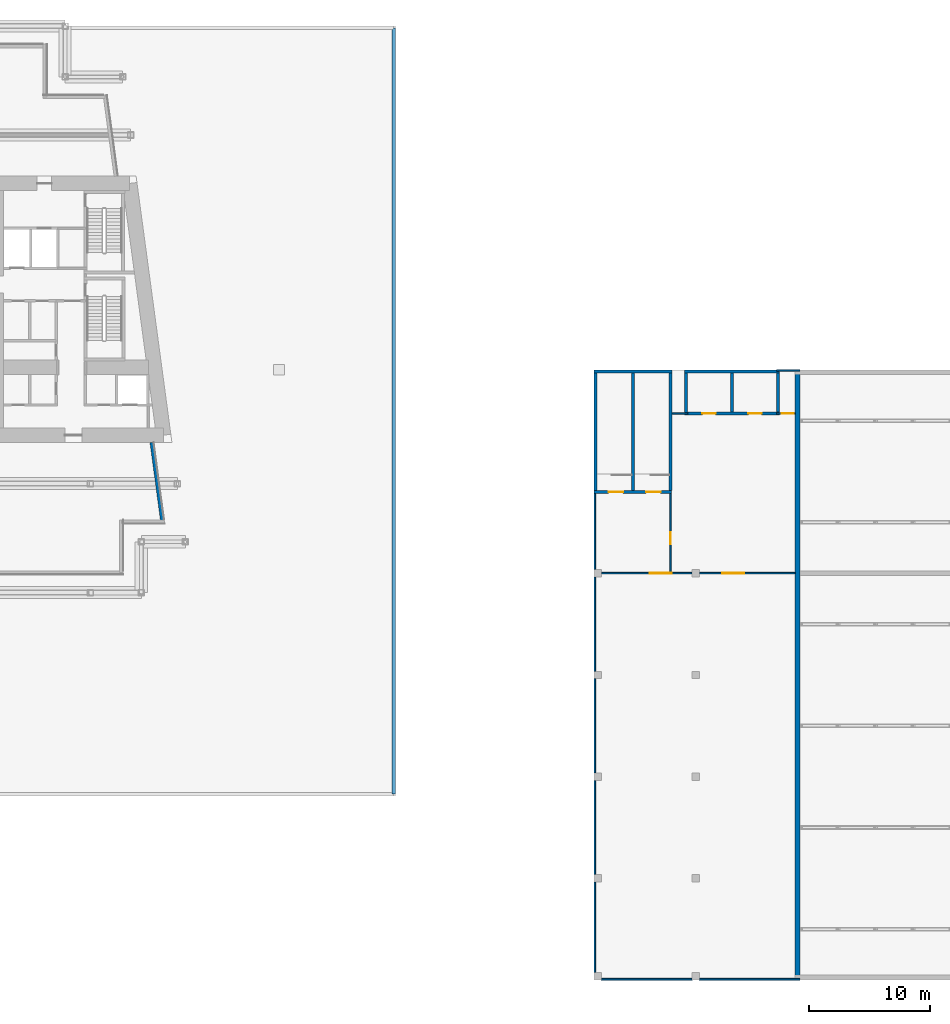
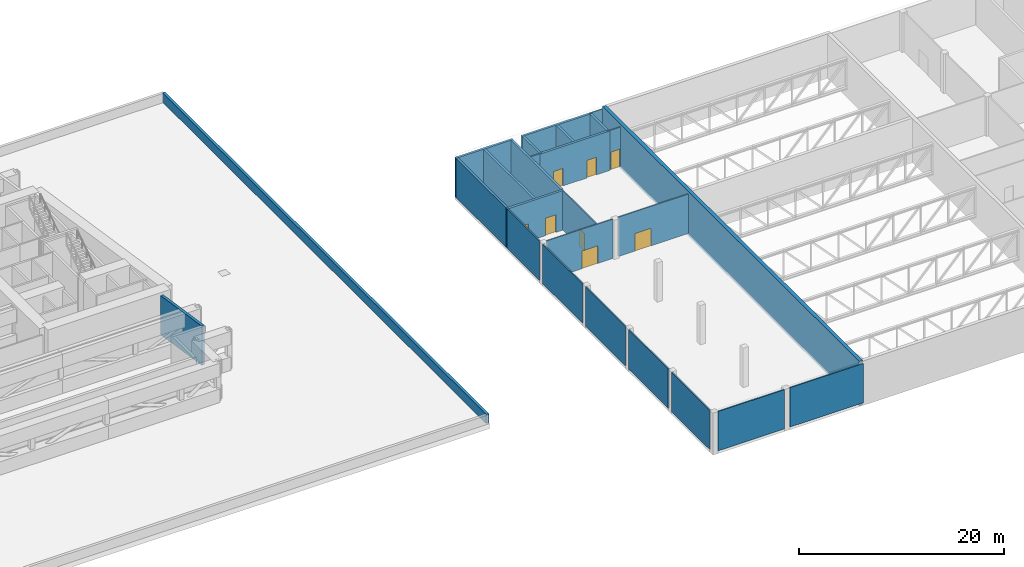
# One storey, part 17 of 26: 26 walls, 8 doors, 8 openings.
"""IFC4 building model written with IfcOpenShell, lengths in metres."""

from ifc_helpers import new_model, si_unit, direction, frame, frame_2d, origin, place, context, subcontext, project, spatial, rectangle, extrude, material, layer, layer_set, type_object, element, fill, save


model = new_model("IFC4")

# Units and contexts
model_context = context("Model", 3, precision=1e-05, world=origin(), true_north=direction((0.0, 1.0)))
body_context = subcontext(model_context, "Body", "Model", "MODEL_VIEW")
ifc_project = project(units=[si_unit("LENGTHUNIT", "METRE"), si_unit("AREAUNIT", "SQUARE_METRE"), si_unit("VOLUMEUNIT", "CUBIC_METRE"), si_unit("PLANEANGLEUNIT", "RADIAN"), si_unit("MASSUNIT", "GRAM", prefix="KILO")], contexts=[model_context])

# Site, building, storey
site_placement = place(None, origin())
site = spatial("IfcSite", under=ifc_project, at=site_placement, CompositionType="ELEMENT")
building_placement = place(site_placement, origin())
building = spatial("IfcBuilding", under=site, at=building_placement, Name="Candeia Pilgrim Tower and Theatre", CompositionType="ELEMENT")
storey_placement = place(building_placement, frame((0.0, 0.0, 34.0)))
storey = spatial("IfcBuildingStorey", under=building, at=storey_placement, Name="L05", CompositionType="ELEMENT", Elevation=34.0)

# Walls
ifc_material_1 = material(Name="Ceramic block masonry", Category="masonry")
ifc_layer_1 = layer(ifc_material_1, 0.300048828125)
ifc_layer_set_1 = layer_set([ifc_layer_1], Name="EW1 glazing-line wall 300")
wall_type_1 = type_object("IfcWallType", Name="EW1 glazing-line wall 300", PredefinedType="SOLIDWALL", material=ifc_layer_set_1)
wall_1_placement = place(storey_placement, frame((140.34765625, 103.85009765625, 0.0), z_axis=(0.0, 0.0, 1.0), x_axis=(-0.133431549479, 0.991058031401, 0.0)))
element("IfcWall", 1, at=wall_1_placement, inside=storey, type_object=wall_type_1, Name="External wall L05-3.0", PredefinedType="SOLIDWALL", context=body_context, shape_type="SweptSolid", body=[
    extrude(rectangle(XDim=6.60888671875, YDim=0.300048828125, at=frame_2d((3.304443359375, 0.0))), origin(), (0.0, 0.0, 1.0), 4.679931640625),
])
ifc_layer_2 = layer(ifc_material_1, 0.300048828125)
ifc_layer_set_2 = layer_set([ifc_layer_2], Name="PW1 parapet wall 300")
wall_type_2 = type_object("IfcWallType", Name="PW1 parapet wall 300", PredefinedType="PARAPET", material=ifc_layer_set_2)
wall_2_placement = place(storey_placement, frame((159.449951171875, 144.64990234375, 0.0), z_axis=(0.0, 0.0, 1.0), x_axis=(0.0, -1.0, 0.0)))
element("IfcWall", 2, at=wall_2_placement, inside=storey, type_object=wall_type_2, Name="Roof parapet L05", PredefinedType="PARAPET", context=body_context, shape_type="SweptSolid", body=[
    extrude(rectangle(XDim=63.2998046875, YDim=0.300048828125, at=frame_2d((31.64990234375, 0.0))), origin(), (0.0, 0.0, 1.0), 1.10009765625),
])
ifc_material_2 = material(Name="Gypsum board on steel studs", Category="steel")
ifc_layer_3 = layer(ifc_material_2, 0.125)
ifc_layer_set_3 = layer_set([ifc_layer_3], Name="Partition 125")
wall_type_3 = type_object("IfcWallType", Name="Partition 125", PredefinedType="PARTITIONING", material=ifc_layer_set_3)
wall_3_placement = place(storey_placement, frame((176.60009765625, 66.0625, 0.0), z_axis=(0.0, 0.0, 1.0), x_axis=(1.0, 0.0, 0.0)))
element("IfcWall", 3, at=wall_3_placement, inside=storey, type_object=wall_type_3, Name="T-L05-W001", PredefinedType="PARTITIONING", context=body_context, shape_type="SweptSolid", body=[
    extrude(rectangle(XDim=7.5, YDim=0.125, at=frame_2d((3.75, 0.0))), origin(), (0.0, 0.0, 1.0), 4.699951171875),
])
wall_4_placement = place(storey_placement, frame((184.699951171875, 66.0625, 0.0), z_axis=(0.0, 0.0, 1.0), x_axis=(1.0, 0.0, 0.0)))
element("IfcWall", 4, at=wall_4_placement, inside=storey, type_object=wall_type_3, Name="T-L05-W002", PredefinedType="PARTITIONING", context=body_context, shape_type="SweptSolid", body=[
    extrude(rectangle(XDim=8.300048828125, YDim=0.125, at=frame_2d((4.14990234375, 0.0))), origin(), (0.0, 0.0, 1.0), 4.699951171875),
])

# Wall, opening, door
wall_5_placement = place(storey_placement, frame((176.60009765625, 99.60009765625, 0.0), z_axis=(0.0, 0.0, 1.0), x_axis=(1.0, 0.0, 0.0)))
wall_5 = element("IfcWall", 5, at=wall_5_placement, inside=storey, type_object=wall_type_3, Name="T-L05-W012", PredefinedType="PARTITIONING", context=body_context, shape_type="SweptSolid", body=[
    extrude(rectangle(XDim=7.5, YDim=0.125, at=frame_2d((3.75, 0.0))), origin(), (0.0, 0.0, 1.0), 4.699951171875),
])
opening_1_placement = place(wall_5_placement, frame((4.0, 0.0, 0.0)))
opening_1 = element("IfcOpeningElement", 6, at=opening_1_placement, cuts=wall_5, Name="Opening TD-L05-012", PredefinedType="OPENING", context=body_context, shape_type="SweptSolid", body=[
    extrude(rectangle(XDim=1.800048828125, YDim=2.10009765625, at=frame_2d((0.89990234375, 1.050048828125))), frame((0.0, 0.072509765625, 0.0), z_axis=(0.0, -1.0, 0.0), x_axis=(1.0, 0.0, 0.0)), (0.0, 0.0, 1.0), 0.14501953125),
])
ifc_material_3 = material(Name="Timber door leaf", Category="wood")
door_type_1 = type_object("IfcDoorType", Name="Door double 1800x2100", OperationType="DOUBLE_DOOR_SINGLE_SWING", PredefinedType="DOOR", material=ifc_material_3)
door_1_placement = place(opening_1_placement, origin())
door_1 = element("IfcDoor", 7, at=door_1_placement, inside=storey, type_object=door_type_1, Name="Door TD-L05-012", OperationType="DOUBLE_DOOR_SINGLE_SWING", OverallHeight=2.10009765625, OverallWidth=1.800048828125, PredefinedType="DOOR", context=body_context, shape_type="SweptSolid", body=[
    extrude(rectangle(XDim=1.800048828125, YDim=2.10009765625, at=frame_2d((0.89990234375, 1.050048828125))), frame((0.0, 0.02490234375, 0.0), z_axis=(0.0, -1.0, 0.0), x_axis=(1.0, 0.0, 0.0)), (0.0, 0.0, 1.0), 0.050048828125),
])
fill(opening_1, door_1)

wall_6_placement = place(storey_placement, frame((184.699951171875, 99.60009765625, 0.0), z_axis=(0.0, 0.0, 1.0), x_axis=(1.0, 0.0, 0.0)))
wall_6 = element("IfcWall", 8, at=wall_6_placement, inside=storey, type_object=wall_type_3, Name="T-L05-W013", PredefinedType="PARTITIONING", context=body_context, shape_type="SweptSolid", body=[
    extrude(rectangle(XDim=7.900146484375, YDim=0.125, at=frame_2d((3.9501953125, 0.0))), origin(), (0.0, 0.0, 1.0), 4.699951171875),
])
opening_2_placement = place(wall_6_placement, frame((1.89990234375, 0.0, 0.0)))
opening_2 = element("IfcOpeningElement", 9, at=opening_2_placement, cuts=wall_6, Name="Opening TD-L05-013", PredefinedType="OPENING", context=body_context, shape_type="SweptSolid", body=[
    extrude(rectangle(XDim=1.800048828125, YDim=2.10009765625, at=frame_2d((0.89990234375, 1.050048828125))), frame((0.0, 0.072509765625, 0.0), z_axis=(0.0, -1.0, 0.0), x_axis=(1.0, 0.0, 0.0)), (0.0, 0.0, 1.0), 0.14501953125),
])
door_2_placement = place(opening_2_placement, origin())
door_2 = element("IfcDoor", 10, at=door_2_placement, inside=storey, type_object=door_type_1, Name="Door TD-L05-013", OperationType="DOUBLE_DOOR_SINGLE_SWING", OverallHeight=2.10009765625, OverallWidth=1.800048828125, PredefinedType="DOOR", context=body_context, shape_type="SweptSolid", body=[
    extrude(rectangle(XDim=1.800048828125, YDim=2.10009765625, at=frame_2d((0.89990234375, 1.050048828125))), frame((0.0, 0.02490234375, 0.0), z_axis=(0.0, -1.0, 0.0), x_axis=(1.0, 0.0, 0.0)), (0.0, 0.0, 1.0), 0.050048828125),
])
fill(opening_2, door_2)

# Wall
wall_7_placement = place(storey_placement, frame((182.449951171875, 112.800048828125, 0.0), z_axis=(0.0, 0.0, 1.0), x_axis=(1.0, 0.0, 0.0)))
element("IfcWall", 11, at=wall_7_placement, inside=storey, type_object=wall_type_3, Name="T-L05-W022", PredefinedType="PARTITIONING", context=body_context, shape_type="SweptSolid", body=[
    extrude(rectangle(XDim=1.275146484375, YDim=0.125, at=frame_2d((0.6376953125, 0.0))), origin(), (0.0, 0.0, 1.0), 4.699951171875),
])

# Wall, opening, door
wall_8_placement = place(storey_placement, frame((191.074951171875, 112.800048828125, 0.0), z_axis=(0.0, 0.0, 1.0), x_axis=(1.0, 0.0, 0.0)))
wall_8 = element("IfcWall", 12, at=wall_8_placement, inside=storey, type_object=wall_type_3, Name="T-L05-W024", PredefinedType="PARTITIONING", context=body_context, shape_type="SweptSolid", body=[
    extrude(rectangle(XDim=1.525146484375, YDim=0.125, at=frame_2d((0.7626953125, 0.0))), origin(), (0.0, 0.0, 1.0), 4.699951171875),
])
opening_3_placement = place(wall_8_placement, frame((0.425048828125, 0.0, 0.0)))
opening_3 = element("IfcOpeningElement", 13, at=opening_3_placement, cuts=wall_8, Name="Opening TD-L05-006", PredefinedType="OPENING", context=body_context, shape_type="SweptSolid", body=[
    extrude(rectangle(XDim=1.0, YDim=2.10009765625, at=frame_2d((0.5, 1.050048828125))), frame((0.0, 0.072509765625, 0.0), z_axis=(0.0, -1.0, 0.0), x_axis=(1.0, 0.0, 0.0)), (0.0, 0.0, 1.0), 0.14501953125),
])
ifc_material_4 = material(Name="Steel fire door leaf", Category="steel")
door_type_2 = type_object("IfcDoorType", Name="Door fire single 1000x2100", OperationType="NOTDEFINED", PredefinedType="DOOR", material=ifc_material_4)
door_3_placement = place(opening_3_placement, origin())
door_3 = element("IfcDoor", 14, at=door_3_placement, inside=storey, type_object=door_type_2, Name="Door TD-L05-006", OperationType="SINGLE_SWING_RIGHT", OverallHeight=2.10009765625, OverallWidth=1.0, PredefinedType="DOOR", context=body_context, shape_type="SweptSolid", body=[
    extrude(rectangle(XDim=1.0, YDim=2.10009765625, at=frame_2d((0.5, 1.050048828125))), frame((0.0, 0.02490234375, 0.0), z_axis=(0.0, -1.0, 0.0), x_axis=(1.0, 0.0, 0.0)), (0.0, 0.0, 1.0), 0.050048828125),
])
fill(opening_3, door_3)

# Walls
wall_9_placement = place(storey_placement, frame((191.074951171875, 116.33740234375, 0.0), z_axis=(0.0, 0.0, 1.0), x_axis=(1.0, 0.0, 0.0)))
element("IfcWall", 15, at=wall_9_placement, inside=storey, type_object=wall_type_3, Name="T-L05-W029", PredefinedType="PARTITIONING", context=body_context, shape_type="SweptSolid", body=[
    extrude(rectangle(XDim=1.925048828125, YDim=0.125, at=frame_2d((0.96240234375, 0.0))), origin(), (0.0, 0.0, 1.0), 4.699951171875),
])
wall_10_placement = place(storey_placement, frame((176.0625, 66.60009765625, 0.0), z_axis=(0.0, 0.0, 1.0), x_axis=(0.0, 1.0, 0.0)))
element("IfcWall", 16, at=wall_10_placement, inside=storey, type_object=wall_type_3, Name="T-L05-W032", PredefinedType="PARTITIONING", context=body_context, shape_type="SweptSolid", body=[
    extrude(rectangle(XDim=7.5, YDim=0.125, at=frame_2d((3.75, 0.0))), origin(), (0.0, 0.0, 1.0), 4.699951171875),
])
wall_11_placement = place(storey_placement, frame((176.0625, 74.699951171875, 0.0), z_axis=(0.0, 0.0, 1.0), x_axis=(0.0, 1.0, 0.0)))
element("IfcWall", 17, at=wall_11_placement, inside=storey, type_object=wall_type_3, Name="T-L05-W033", PredefinedType="PARTITIONING", context=body_context, shape_type="SweptSolid", body=[
    extrude(rectangle(XDim=7.800048828125, YDim=0.125, at=frame_2d((3.89990234375, 0.0))), origin(), (0.0, 0.0, 1.0), 4.699951171875),
])
wall_12_placement = place(storey_placement, frame((176.0625, 83.10009765625, 0.0), z_axis=(0.0, 0.0, 1.0), x_axis=(0.0, 1.0, 0.0)))
element("IfcWall", 18, at=wall_12_placement, inside=storey, type_object=wall_type_3, Name="T-L05-W034", PredefinedType="PARTITIONING", context=body_context, shape_type="SweptSolid", body=[
    extrude(rectangle(XDim=7.7998046875, YDim=0.125, at=frame_2d((3.89990234375, 0.0))), origin(), (0.0, 0.0, 1.0), 4.699951171875),
])
wall_13_placement = place(storey_placement, frame((176.0625, 91.5, 0.0), z_axis=(0.0, 0.0, 1.0), x_axis=(0.0, 1.0, 0.0)))
element("IfcWall", 19, at=wall_13_placement, inside=storey, type_object=wall_type_3, Name="T-L05-W035", PredefinedType="PARTITIONING", context=body_context, shape_type="SweptSolid", body=[
    extrude(rectangle(XDim=7.800048828125, YDim=0.125, at=frame_2d((3.89990234375, 0.0))), origin(), (0.0, 0.0, 1.0), 4.699951171875),
])
wall_14_placement = place(storey_placement, frame((176.0625, 99.89990234375, 0.0), z_axis=(0.0, 0.0, 1.0), x_axis=(0.0, 1.0, 0.0)))
element("IfcWall", 20, at=wall_14_placement, inside=storey, type_object=wall_type_3, Name="T-L05-W036", PredefinedType="PARTITIONING", context=body_context, shape_type="SweptSolid", body=[
    extrude(rectangle(XDim=6.275146484375, YDim=0.125, at=frame_2d((3.1376953125, 0.0))), origin(), (0.0, 0.0, 1.0), 4.699951171875),
])

# Wall, opening, door
wall_15_placement = place(storey_placement, frame((182.324951171875, 99.66259765625, 0.0), z_axis=(0.0, 0.0, 1.0), x_axis=(0.0, 1.0, 0.0)))
wall_15 = element("IfcWall", 21, at=wall_15_placement, inside=storey, type_object=wall_type_3, Name="T-L05-W039", PredefinedType="PARTITIONING", context=body_context, shape_type="SweptSolid", body=[
    extrude(rectangle(XDim=6.512451171875, YDim=0.125, at=frame_2d((3.25634765625, 0.0))), origin(), (0.0, 0.0, 1.0), 4.699951171875),
])
opening_4_placement = place(wall_15_placement, frame((2.33740234375, 0.0, 0.0)))
opening_4 = element("IfcOpeningElement", 22, at=opening_4_placement, cuts=wall_15, Name="Opening TD-L05-003", PredefinedType="OPENING", context=body_context, shape_type="SweptSolid", body=[
    extrude(rectangle(XDim=1.0, YDim=2.10009765625, at=frame_2d((0.5, 1.050048828125))), frame((0.0, 0.072509765625, 0.0), z_axis=(0.0, -1.0, 0.0), x_axis=(1.0, 0.0, 0.0)), (0.0, 0.0, 1.0), 0.14501953125),
])
door_4_placement = place(opening_4_placement, origin())
door_4 = element("IfcDoor", 23, at=door_4_placement, inside=storey, type_object=door_type_2, Name="Door TD-L05-003", OperationType="SINGLE_SWING_LEFT", OverallHeight=2.10009765625, OverallWidth=1.0, PredefinedType="DOOR", context=body_context, shape_type="SweptSolid", body=[
    extrude(rectangle(XDim=1.0, YDim=2.10009765625, at=frame_2d((0.5, 1.050048828125))), frame((0.0, 0.02490234375, 0.0), z_axis=(0.0, -1.0, 0.0), x_axis=(1.0, 0.0, 0.0)), (0.0, 0.0, 1.0), 0.050048828125),
])
fill(opening_4, door_4)

# Wall, openings, doors
ifc_material_5 = material(Name="Concrete C35/45", Category="concrete")
ifc_layer_4 = layer(ifc_material_5, 0.25)
ifc_layer_set_4 = layer_set([ifc_layer_4], Name="RC wall 250 C35/45")
wall_type_4 = type_object("IfcWallType", Name="RC wall 250 C35/45", PredefinedType="SOLIDWALL", material=ifc_layer_set_4)
wall_16_placement = place(storey_placement, frame((176.0, 106.300048828125, 0.0), z_axis=(0.0, 0.0, 1.0), x_axis=(1.0, 0.0, 0.0)))
wall_16 = element("IfcWall", 24, at=wall_16_placement, inside=storey, type_object=wall_type_4, Name="T-L05-W020", PredefinedType="SOLIDWALL", context=body_context, shape_type="SweptSolid", body=[
    extrude(rectangle(XDim=6.387451171875, YDim=0.25, at=frame_2d((3.19384765625, 0.0))), origin(), (0.0, 0.0, 1.0), 4.699951171875),
])
opening_5_placement = place(wall_16_placement, frame((1.199951171875, 0.0, 0.0)))
opening_5 = element("IfcOpeningElement", 25, at=opening_5_placement, cuts=wall_16, Name="Opening TD-L05-001", PredefinedType="OPENING", context=body_context, shape_type="SweptSolid", body=[
    extrude(rectangle(XDim=1.199951171875, YDim=2.10009765625, at=frame_2d((0.60009765625, 1.050048828125))), frame((0.0, 0.135009765625, 0.0), z_axis=(0.0, -1.0, 0.0), x_axis=(1.0, 0.0, 0.0)), (0.0, 0.0, 1.0), 0.27001953125),
])
opening_6_placement = place(wall_16_placement, frame((4.300048828125, 0.0, 0.0)))
opening_6 = element("IfcOpeningElement", 26, at=opening_6_placement, cuts=wall_16, Name="Opening TD-L05-002", PredefinedType="OPENING", context=body_context, shape_type="SweptSolid", body=[
    extrude(rectangle(XDim=1.199951171875, YDim=2.10009765625, at=frame_2d((0.60009765625, 1.050048828125))), frame((0.0, 0.135009765625, 0.0), z_axis=(0.0, -1.0, 0.0), x_axis=(1.0, 0.0, 0.0)), (0.0, 0.0, 1.0), 0.27001953125),
])
door_type_3 = type_object("IfcDoorType", Name="Door exit single 1200x2100", OperationType="NOTDEFINED", PredefinedType="DOOR", material=ifc_material_4)
door_5_placement = place(opening_5_placement, origin())
door_5 = element("IfcDoor", 27, at=door_5_placement, inside=storey, type_object=door_type_3, Name="Door TD-L05-001", OperationType="SINGLE_SWING_LEFT", OverallHeight=2.10009765625, OverallWidth=1.199951171875, PredefinedType="DOOR", context=body_context, shape_type="SweptSolid", body=[
    extrude(rectangle(XDim=1.199951171875, YDim=2.10009765625, at=frame_2d((0.60009765625, 1.050048828125))), frame((0.0, 0.02490234375, 0.0), z_axis=(0.0, -1.0, 0.0), x_axis=(1.0, 0.0, 0.0)), (0.0, 0.0, 1.0), 0.050048828125),
])
fill(opening_5, door_5)
door_6_placement = place(opening_6_placement, origin())
door_6 = element("IfcDoor", 28, at=door_6_placement, inside=storey, type_object=door_type_3, Name="Door TD-L05-002", OperationType="SINGLE_SWING_RIGHT", OverallHeight=2.10009765625, OverallWidth=1.199951171875, PredefinedType="DOOR", context=body_context, shape_type="SweptSolid", body=[
    extrude(rectangle(XDim=1.199951171875, YDim=2.10009765625, at=frame_2d((0.60009765625, 1.050048828125))), frame((0.0, 0.02490234375, 0.0), z_axis=(0.0, -1.0, 0.0), x_axis=(1.0, 0.0, 0.0)), (0.0, 0.0, 1.0), 0.050048828125),
])
fill(opening_6, door_6)

wall_17_placement = place(storey_placement, frame((183.47509765625, 112.800048828125, 0.0), z_axis=(0.0, 0.0, 1.0), x_axis=(1.0, 0.0, 0.0)))
wall_17 = element("IfcWall", 29, at=wall_17_placement, inside=storey, type_object=wall_type_4, Name="T-L05-W023", PredefinedType="SOLIDWALL", context=body_context, shape_type="SweptSolid", body=[
    extrude(rectangle(XDim=7.849853515625, YDim=0.25, at=frame_2d((3.9248046875, 0.0))), origin(), (0.0, 0.0, 1.0), 4.699951171875),
])
opening_7_placement = place(wall_17_placement, frame((1.47509765625, 0.0, 0.0)))
opening_7 = element("IfcOpeningElement", 30, at=opening_7_placement, cuts=wall_17, Name="Opening TD-L05-004", PredefinedType="OPENING", context=body_context, shape_type="SweptSolid", body=[
    extrude(rectangle(XDim=1.10009765625, YDim=2.10009765625, at=frame_2d((0.550048828125, 1.050048828125))), frame((0.0, 0.135009765625, 0.0), z_axis=(0.0, -1.0, 0.0), x_axis=(1.0, 0.0, 0.0)), (0.0, 0.0, 1.0), 0.27001953125),
])
opening_8_placement = place(wall_17_placement, frame((5.27490234375, 0.0, 0.0)))
opening_8 = element("IfcOpeningElement", 31, at=opening_8_placement, cuts=wall_17, Name="Opening TD-L05-005", PredefinedType="OPENING", context=body_context, shape_type="SweptSolid", body=[
    extrude(rectangle(XDim=1.10009765625, YDim=2.10009765625, at=frame_2d((0.550048828125, 1.050048828125))), frame((0.0, 0.135009765625, 0.0), z_axis=(0.0, -1.0, 0.0), x_axis=(1.0, 0.0, 0.0)), (0.0, 0.0, 1.0), 0.27001953125),
])
ifc_material_6 = material(Name="Stainless steel landing door", Category="steel")
door_type_4 = type_object("IfcDoorType", Name="Door lift landing 1100x2100", OperationType="DOUBLE_DOOR_SLIDING", PredefinedType="DOOR", material=ifc_material_6)
door_7_placement = place(opening_7_placement, origin())
door_7 = element("IfcDoor", 32, at=door_7_placement, inside=storey, type_object=door_type_4, Name="Door TD-L05-004", OperationType="DOUBLE_DOOR_SLIDING", OverallHeight=2.10009765625, OverallWidth=1.10009765625, PredefinedType="DOOR", context=body_context, shape_type="SweptSolid", body=[
    extrude(rectangle(XDim=1.10009765625, YDim=2.10009765625, at=frame_2d((0.550048828125, 1.050048828125))), frame((0.0, 0.02490234375, 0.0), z_axis=(0.0, -1.0, 0.0), x_axis=(1.0, 0.0, 0.0)), (0.0, 0.0, 1.0), 0.050048828125),
])
fill(opening_7, door_7)
door_8_placement = place(opening_8_placement, origin())
door_8 = element("IfcDoor", 33, at=door_8_placement, inside=storey, type_object=door_type_4, Name="Door TD-L05-005", OperationType="DOUBLE_DOOR_SLIDING", OverallHeight=2.10009765625, OverallWidth=1.10009765625, PredefinedType="DOOR", context=body_context, shape_type="SweptSolid", body=[
    extrude(rectangle(XDim=1.10009765625, YDim=2.10009765625, at=frame_2d((0.550048828125, 1.050048828125))), frame((0.0, 0.02490234375, 0.0), z_axis=(0.0, -1.0, 0.0), x_axis=(1.0, 0.0, 0.0)), (0.0, 0.0, 1.0), 0.050048828125),
])
fill(opening_8, door_8)

# Walls
wall_18_placement = place(storey_placement, frame((176.0, 116.27490234375, 0.0), z_axis=(0.0, 0.0, 1.0), x_axis=(1.0, 0.0, 0.0)))
element("IfcWall", 34, at=wall_18_placement, inside=storey, type_object=wall_type_4, Name="T-L05-W026", PredefinedType="SOLIDWALL", context=body_context, shape_type="SweptSolid", body=[
    extrude(rectangle(XDim=6.449951171875, YDim=0.25, at=frame_2d((3.22509765625, 0.0))), origin(), (0.0, 0.0, 1.0), 4.699951171875),
])
wall_19_placement = place(storey_placement, frame((183.47509765625, 116.27490234375, 0.0), z_axis=(0.0, 0.0, 1.0), x_axis=(1.0, 0.0, 0.0)))
element("IfcWall", 35, at=wall_19_placement, inside=storey, type_object=wall_type_4, Name="T-L05-W027", PredefinedType="SOLIDWALL", context=body_context, shape_type="SweptSolid", body=[
    extrude(rectangle(XDim=7.849853515625, YDim=0.25, at=frame_2d((3.9248046875, 0.0))), origin(), (0.0, 0.0, 1.0), 4.699951171875),
])
for number, where, z_axis, x_axis, name in (
    (36, (176.125, 106.425048828125, 0.0), (0.0, 0.0, 1.0), (0.0, 1.0, 0.0), "T-L05-W037"),
    (37, (179.22509765625, 106.425048828125, 0.0), (0.0, 0.0, 1.0), (0.0, 1.0, 0.0), "T-L05-W038"),
    (38, (182.324951171875, 106.425048828125, 0.0), (0.0, 0.0, 1.0), (0.0, 1.0, 0.0), "T-L05-W040"),
):
    element("IfcWall", number, at=place(storey_placement, frame(where, z_axis=z_axis, x_axis=x_axis)), inside=storey, type_object=wall_type_4, Name=name, PredefinedType="SOLIDWALL", context=body_context, shape_type="SweptSolid", body=[
        extrude(rectangle(XDim=9.724853515625, YDim=0.25, at=frame_2d((4.8623046875, 0.0))), origin(), (0.0, 0.0, 1.0), 4.699951171875),
    ])
wall_20_placement = place(storey_placement, frame((183.60009765625, 112.862548828125, 0.0), z_axis=(0.0, 0.0, 1.0), x_axis=(0.0, 1.0, 0.0)))
element("IfcWall", 39, at=wall_20_placement, inside=storey, type_object=wall_type_4, Name="T-L05-W041", PredefinedType="SOLIDWALL", context=body_context, shape_type="SweptSolid", body=[
    extrude(rectangle(XDim=3.287353515625, YDim=0.25, at=frame_2d((1.6435546875, 0.0))), origin(), (0.0, 0.0, 1.0), 4.699951171875),
])
for number, where, z_axis, x_axis, name in (
    (40, (187.39990234375, 112.925048828125, 0.0), (0.0, 0.0, 1.0), (0.0, 1.0, 0.0), "T-L05-W042"),
    (41, (191.199951171875, 112.925048828125, 0.0), (0.0, 0.0, 1.0), (0.0, 1.0, 0.0), "T-L05-W043"),
):
    element("IfcWall", number, at=place(storey_placement, frame(where, z_axis=z_axis, x_axis=x_axis)), inside=storey, type_object=wall_type_4, Name=name, PredefinedType="SOLIDWALL", context=body_context, shape_type="SweptSolid", body=[
        extrude(rectangle(XDim=3.224853515625, YDim=0.25, at=frame_2d((1.6123046875, 0.0))), origin(), (0.0, 0.0, 1.0), 4.699951171875),
    ])
ifc_material_7 = material(Name="Concrete C40/50", Category="concrete")
ifc_layer_5 = layer(ifc_material_7, 0.39990234375)
ifc_layer_set_5 = layer_set([ifc_layer_5], Name="RC wall 400 house C40/50")
wall_type_5 = type_object("IfcWallType", Name="RC wall 400 house C40/50", PredefinedType="SOLIDWALL", material=ifc_layer_set_5)
wall_21_placement = place(storey_placement, frame((192.800048828125, 66.125, -0.300048828125), z_axis=(0.0, 0.0, 1.0), x_axis=(0.0, 1.0, 0.0)))
element("IfcWall", 42, at=wall_21_placement, inside=storey, type_object=wall_type_5, Name="T-L05-W044", PredefinedType="SOLIDWALL", context=body_context, shape_type="SweptSolid", body=[
    extrude(rectangle(XDim=50.14990234375, YDim=0.39990234375, at=frame_2d((25.074951171875, 0.0))), origin(), (0.0, 0.0, 1.0), 5.300048828125),
])

save(model, "model.ifc")
